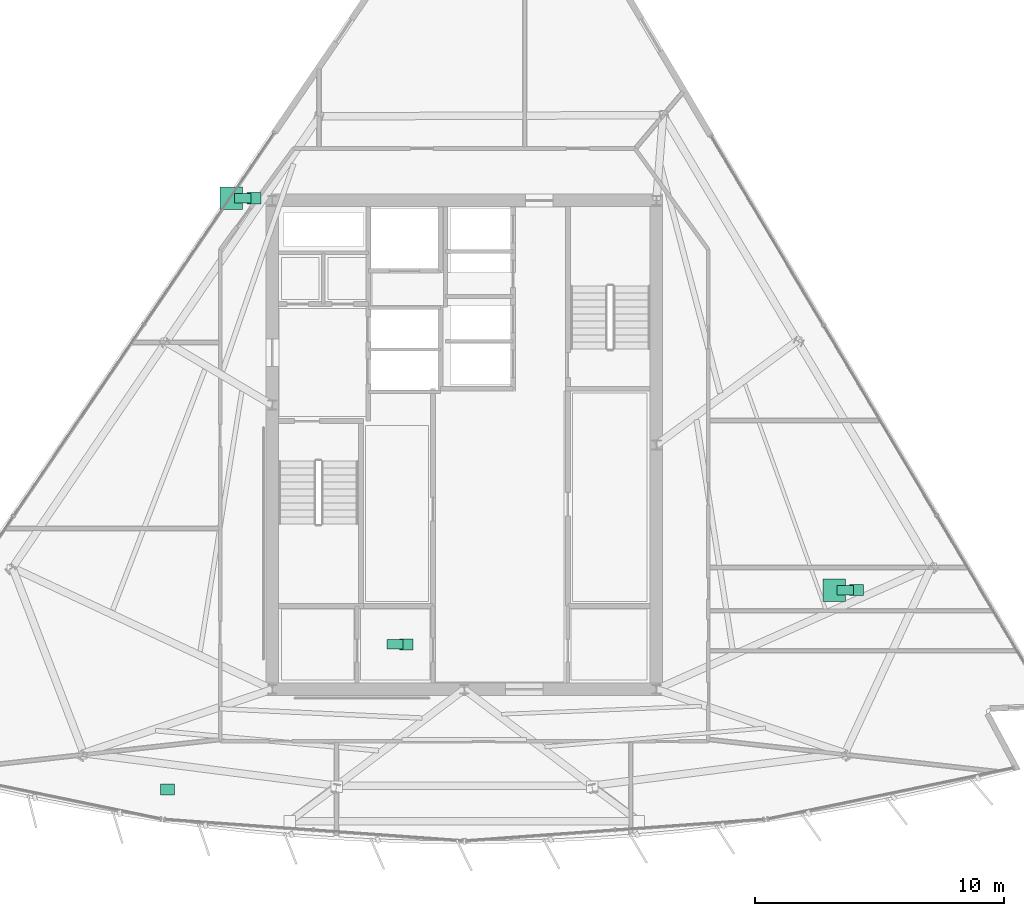
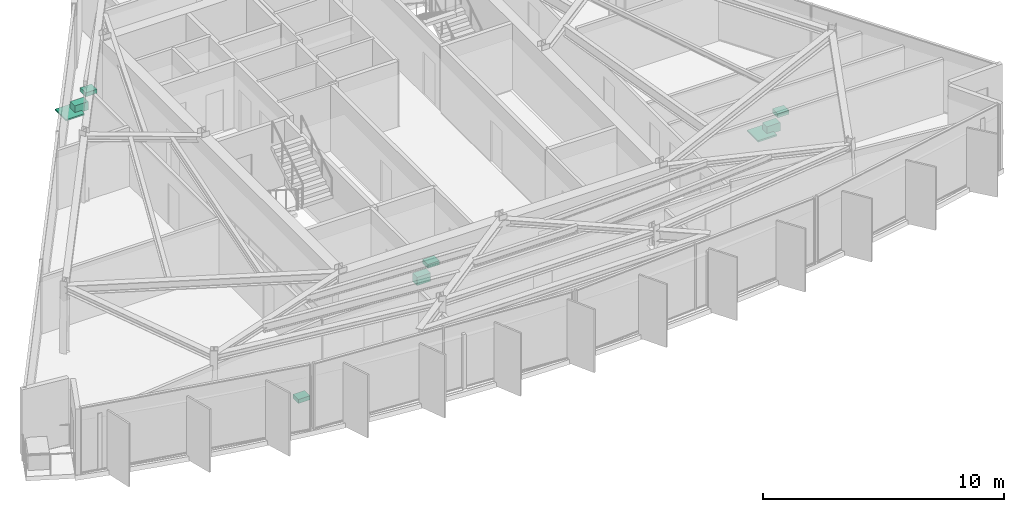
# One storey, part 12 of 12: 9 sanitary terminals.
"""IFC4 building model written with IfcOpenShell, lengths in metres."""

from ifc_helpers import new_model, si_unit, direction, frame, origin, origin_2d, place, context, subcontext, project, spatial, rectangle, extrude, material, type_object, element, save


model = new_model("IFC4")

# Units and contexts
model_context = context("Model", 3, precision=1e-05, world=origin(), true_north=direction((0.0, 1.0)))
body_context = subcontext(model_context, "Body", "Model", "MODEL_VIEW")
ifc_project = project(units=[si_unit("LENGTHUNIT", "METRE"), si_unit("AREAUNIT", "SQUARE_METRE"), si_unit("VOLUMEUNIT", "CUBIC_METRE"), si_unit("PLANEANGLEUNIT", "RADIAN"), si_unit("MASSUNIT", "GRAM", prefix="KILO")], contexts=[model_context])

# Site, building, storey
site_placement = place(None, origin())
site = spatial("IfcSite", under=ifc_project, at=site_placement, CompositionType="ELEMENT")
building_placement = place(site_placement, origin())
building = spatial("IfcBuilding", under=site, at=building_placement, Name="Savorim Split Tower", CompositionType="ELEMENT")
storey_placement = place(building_placement, frame((0.0, 0.0, 279.60009765625)))
storey = spatial("IfcBuildingStorey", under=building, at=storey_placement, Name="L74", CompositionType="ELEMENT", Elevation=279.60009765625)

# Sanitary terminals
ifc_material = material(Name="Vitreous China Sanitaryware")
sanitary_terminal_type_1 = type_object("IfcSanitaryTerminalType", Name="SAN-SHW-900", PredefinedType="SHOWER", material=ifc_material)
for number, where, z_axis, x_axis, name in (
    (1, (14.82470703125, -5.4228515625, -0.000244140625), (0.0, 0.0, 1.0), (1.0, 0.0, 0.0), "L74 Shared Bathroom Shower"),
    (2, (-9.333984375, 10.2822265625, -0.000244140625), (0.0, 0.0, 1.0), (1.0, 0.0, 0.0), "L74 Shared Bathroom Shower"),
):
    element("IfcSanitaryTerminal", number, at=place(storey_placement, frame(where, z_axis=z_axis, x_axis=x_axis)), inside=storey, type_object=sanitary_terminal_type_1, Name=name, PredefinedType="SHOWER", context=body_context, shape_type="SweptSolid", body=[
        extrude(rectangle(XDim=0.89990234375, YDim=0.89990234375, at=origin_2d()), origin(), (0.0, 0.0, 1.0), 0.080078125),
    ])
sanitary_terminal_type_2 = type_object("IfcSanitaryTerminalType", Name="SAN-WC-PAN", PredefinedType="TOILETPAN", material=ifc_material)
for number, where, z_axis, x_axis, name in (
    (3, (-2.77490234375, -7.60009765625, 0.0), (0.0, 0.0, 1.0), (1.0, 0.0, 0.0), "L74 Accessible WC WC Pan"),
    (4, (15.274658203125, -5.4228515625, 0.0), (0.0, 0.0, 1.0), (1.0, 0.0, 0.0), "L74 Shared Bathroom WC Pan"),
    (5, (-8.8837890625, 10.2822265625, 0.0), (0.0, 0.0, 1.0), (1.0, 0.0, 0.0), "L74 Shared Bathroom WC Pan"),
):
    element("IfcSanitaryTerminal", number, at=place(storey_placement, frame(where, z_axis=z_axis, x_axis=x_axis)), inside=storey, type_object=sanitary_terminal_type_2, Name=name, PredefinedType="TOILETPAN", context=body_context, shape_type="SweptSolid", body=[
        extrude(rectangle(XDim=0.64990234375, YDim=0.3798828125, at=origin_2d()), origin(), (0.0, 0.0, 1.0), 0.419921875),
    ])
sanitary_terminal_type_3 = type_object("IfcSanitaryTerminalType", Name="SAN-WHB-550", PredefinedType="WASHHANDBASIN", material=ifc_material)
for number, where, z_axis, x_axis, name in (
    (6, (-2.324951171875, -7.60009765625, 0.7197265625), (0.0, 0.0, 1.0), (1.0, 0.0, 0.0), "L74 Accessible WC Washhand Basin"),
    (7, (-11.900390625, -13.418212890625, 0.75), (0.0, 0.0, 1.0), (1.0, 0.0, 0.0), "L74 Shared Kitchen Utility Sink"),
    (8, (15.724609375, -5.4228515625, 0.7197265625), (0.0, 0.0, 1.0), (1.0, 0.0, 0.0), "L74 Shared Bathroom Washhand Basin"),
    (9, (-8.433837890625, 10.2822265625, 0.7197265625), (0.0, 0.0, 1.0), (1.0, 0.0, 0.0), "L74 Shared Bathroom Washhand Basin"),
):
    element("IfcSanitaryTerminal", number, at=place(storey_placement, frame(where, z_axis=z_axis, x_axis=x_axis)), inside=storey, type_object=sanitary_terminal_type_3, Name=name, PredefinedType="WASHHANDBASIN", context=body_context, shape_type="SweptSolid", body=[
        extrude(rectangle(XDim=0.550048828125, YDim=0.449951171875, at=origin_2d()), origin(), (0.0, 0.0, 1.0), 0.199951171875),
    ])

save(model, "model.ifc")
